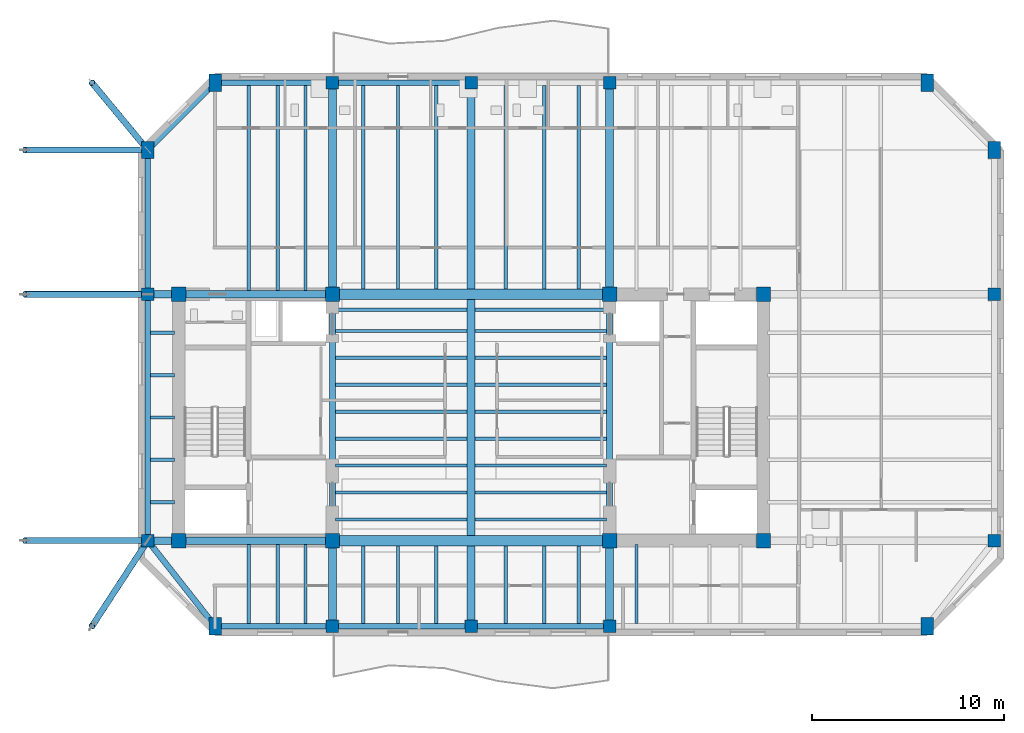
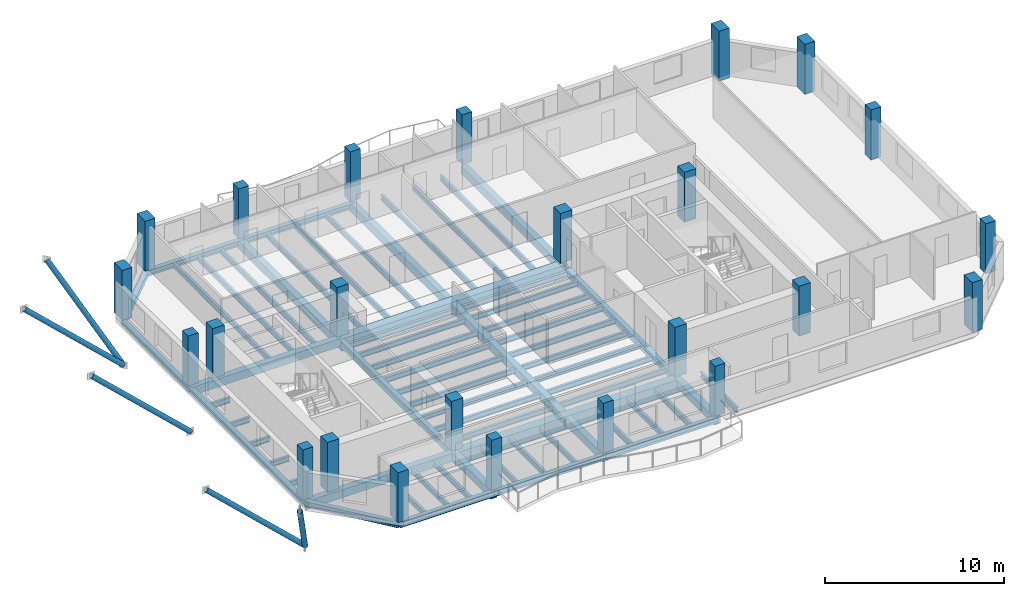
# One storey, part 1 of 10: 64 beams, 24 columns, 5 members.
"""IFC4 building model written with IfcOpenShell, lengths in metres."""

import ifcopenshell
import ifcopenshell.guid

model = None  # the IFC model being written
_history = None  # IfcOwnerHistory: only IFC2X3 demands one
_inside = {}  # id of a spatial element -> (the spatial element, [elements in it])
_under = {}  # id of a project, library or spatial element -> (it, [spatial elements below it])
_declared = {}  # id of a project -> (the project, [libraries it declares])
_typed = {}  # id of a type object -> (the type object, [elements of that type])
_made_of = {}  # id of a material, layer set ... -> (it, [elements and type objects made of it])


def new_model(schema):
    """Start an empty IFC model of exactly this schema.

    Asked for "IFC4X3", IfcOpenShell would pick the latest addendum, in which some entities
    have other attributes; the version numbers below select the first issue.
    IFC2X3 requires an IfcOwnerHistory on every rooted entity: one is made here for all.
    """
    global model, _history
    if schema == "IFC4X3":
        model = ifcopenshell.file(schema_version=(4, 3, 0, 0))
    else:
        model = ifcopenshell.file(schema=schema)
    _inside.clear()
    _under.clear()
    _declared.clear()
    _typed.clear()
    _made_of.clear()
    _history = None
    if model.schema == "IFC2X3":
        org = make("IfcOrganization", Name="unknown")
        user = make(
            "IfcPersonAndOrganization",
            ThePerson=make("IfcPerson", FamilyName="unknown"),
            TheOrganization=org,
        )
        app = make(
            "IfcApplication",
            ApplicationDeveloper=org,
            Version="unknown",
            ApplicationFullName="unknown",
            ApplicationIdentifier="unknown",
        )
        _history = make(
            "IfcOwnerHistory",
            OwningUser=user,
            OwningApplication=app,
            ChangeAction="ADDED",
            CreationDate=0,
        )
    return model


def make(cls, **values):
    """One entity of the class cls with the attributes given. An attribute that is None is left unset."""
    return model.create_entity(
        cls, **{name: value for name, value in values.items() if value is not None}
    )


def rooted(cls, **values):
    """An entity with a GlobalId (a new one), such as an element, a storey or a relation."""
    return make(cls, GlobalId=ifcopenshell.guid.new(), OwnerHistory=_history, **values)


def si_unit(unit_type, name, prefix=None):
    """IfcSIUnit, for example si_unit("LENGTHUNIT", "METRE", prefix="MILLI")."""
    return make("IfcSIUnit", UnitType=unit_type, Prefix=prefix, Name=name)


def assignment(units):
    """IfcUnitAssignment: the units of a project."""
    return None if units is None else make("IfcUnitAssignment", Units=units)


def point(xyz):
    """IfcCartesianPoint."""
    return None if xyz is None else make("IfcCartesianPoint", Coordinates=xyz)


def direction(xyz):
    """IfcDirection."""
    return None if xyz is None else make("IfcDirection", DirectionRatios=xyz)


def frame(location, z_axis=None, x_axis=None):
    """IfcAxis2Placement3D, a coordinate frame: its origin and axes. An axis left out is left unset."""
    return make(
        "IfcAxis2Placement3D",
        Location=point(location),
        Axis=direction(z_axis),
        RefDirection=direction(x_axis),
    )


def frame_2d(location, x_axis=None):
    """IfcAxis2Placement2D, a coordinate frame in the plane: its origin and x axis."""
    return make(
        "IfcAxis2Placement2D", Location=point(location), RefDirection=direction(x_axis)
    )


def origin():
    """The frame at (0, 0, 0) with its axes left unset."""
    return frame((0.0, 0.0, 0.0))


def origin_2d():
    """The frame at (0, 0) in the plane with its x axis left unset."""
    return frame_2d((0.0, 0.0))


def place(relative_to, where):
    """IfcLocalPlacement: puts the frame where relative to a parent placement (None: the world)."""
    return make(
        "IfcLocalPlacement", PlacementRelTo=relative_to, RelativePlacement=where
    )


def context(
    kind, dimensions, precision=None, world=None, true_north=None, identifier=None
):
    """IfcGeometricRepresentationContext, for example the 3D "Model" context."""
    return make(
        "IfcGeometricRepresentationContext",
        ContextIdentifier=identifier,
        ContextType=kind,
        CoordinateSpaceDimension=dimensions,
        Precision=precision,
        WorldCoordinateSystem=world,
        TrueNorth=true_north,
    )


def subcontext(parent, identifier, kind, view, scale=None):
    """IfcGeometricRepresentationSubContext, for example "Body" below "Model"."""
    return make(
        "IfcGeometricRepresentationSubContext",
        ContextIdentifier=identifier,
        ContextType=kind,
        ParentContext=parent,
        TargetScale=scale,
        TargetView=view,
    )


def project(units=None, contexts=None):
    """IfcProject with its units and contexts."""
    return rooted(
        "IfcProject",
        Name="project",
        RepresentationContexts=contexts,
        UnitsInContext=assignment(units),
    )


def spatial(cls, under=None, at=None, **own):
    """A site, building, storey or space (cls), placed at a placement, below another one or the project."""
    s = rooted(cls, ObjectPlacement=at, **own)
    if under is not None:
        _under.setdefault(under.id(), (under, []))[1].append(s)
    return s


def profile(cls, at=None, kind="AREA", **sizes):
    """A parametric profile (cls). Its sizes go by their IFC names, for example OverallWidth=200.0."""
    return make(cls, ProfileType=kind, Position=at, **sizes)


def rectangle(**sizes):
    """IfcRectangleProfileDef."""
    return profile("IfcRectangleProfileDef", **sizes)


def hollow_circle(**sizes):
    """IfcCircleHollowProfileDef."""
    return profile("IfcCircleHollowProfileDef", **sizes)


def i_section(**sizes):
    """IfcIShapeProfileDef."""
    return profile("IfcIShapeProfileDef", **sizes)


def extrude(swept, where, along, depth):
    """IfcExtrudedAreaSolid: the profile swept, set in the frame where, extruded along a direction by depth."""
    return make(
        "IfcExtrudedAreaSolid",
        SweptArea=swept,
        Position=where,
        ExtrudedDirection=direction(along),
        Depth=depth,
    )


def shape(context_of_items, identifier, shape_type, items):
    """IfcShapeRepresentation: the items that make up one representation, for example the "Body"."""
    return make(
        "IfcShapeRepresentation",
        ContextOfItems=context_of_items,
        RepresentationIdentifier=identifier,
        RepresentationType=shape_type,
        Items=items,
    )


def material(Name=None, Category=None):
    """IfcMaterial."""
    return make("IfcMaterial", Name=Name, Category=Category)


def material_profile(
    of_material, cross_section, Name=None, Category=None, Priority=None
):
    """IfcMaterialProfile: a cross section and its material."""
    return make(
        "IfcMaterialProfile",
        Name=Name,
        Material=of_material,
        Profile=cross_section,
        Priority=Priority,
        Category=Category,
    )


def profile_set(profiles, Name=None, composite=None):
    """IfcMaterialProfileSet."""
    return make(
        "IfcMaterialProfileSet",
        Name=Name,
        MaterialProfiles=profiles,
        CompositeProfile=composite,
    )


def made_of(thing, what):
    """Note that an element or type object is made of a material, layer set ...; save() writes the relation."""
    if what is not None:
        _made_of.setdefault(what.id(), (what, []))[1].append(thing)
    return thing


def type_object(cls, material=None, **own):
    """A type object (cls), such as IfcWallType, which elements share."""
    return made_of(rooted(cls, **own), material)


def element(
    cls,
    number,
    at=None,
    inside=None,
    cuts=None,
    type_object=None,
    material=None,
    context=None,
    identifier="Body",
    shape_type=None,
    held_by="IfcProductDefinitionShape",
    body=None,
    shapes=None,
    **own,
):
    """One element of the class cls, such as IfcWall. Its Tag is "e" and its number.

    at: its placement. inside: the storey or other place that contains it. cuts: it is an
    opening in that element (IfcRelVoidsElement). A single representation is given by context,
    identifier, shape_type and body (its items); several are given by shapes. held_by: the class
    of the entity that holds the representations. save() writes the other relations.
    """
    e = rooted(cls, Tag="e%d" % number, ObjectPlacement=at, **own)
    if body is not None:
        shapes = [shape(context, identifier, shape_type, body)]
    if shapes is not None:
        e.Representation = make(held_by, Representations=shapes)
    if inside is not None:
        _inside.setdefault(inside.id(), (inside, []))[1].append(e)
    if cuts is not None:
        rooted(
            "IfcRelVoidsElement", RelatingBuildingElement=cuts, RelatedOpeningElement=e
        )
    if type_object is not None:
        _typed.setdefault(type_object.id(), (type_object, []))[1].append(e)
    return made_of(e, material)


def aggregate(whole, parts):
    """IfcRelAggregates: a whole, such as a stair, and the parts it consists of."""
    return rooted("IfcRelAggregates", RelatingObject=whole, RelatedObjects=parts)


def save(model, path):
    """Write the relations noted so far, then the file.

    IfcRelAggregates (storeys below a building ...), IfcRelContainedInSpatialStructure (elements
    in a storey), IfcRelDefinesByType, IfcRelAssociatesMaterial and IfcRelDeclares: one each for
    every whole, place, type object, material and project.
    """
    for whole, parts in _under.values():
        aggregate(whole, parts)
    for where, things in _inside.values():
        rooted(
            "IfcRelContainedInSpatialStructure",
            RelatedElements=things,
            RelatingStructure=where,
        )
    for kind, things in _typed.values():
        rooted("IfcRelDefinesByType", RelatedObjects=things, RelatingType=kind)
    for what, things in _made_of.values():
        rooted("IfcRelAssociatesMaterial", RelatedObjects=things, RelatingMaterial=what)
    for by, libraries in _declared.values():
        rooted("IfcRelDeclares", RelatingContext=by, RelatedDefinitions=libraries)
    model.write(path)


model = new_model("IFC4")

# Units and contexts
model_context = context("Model", 3, precision=1e-05, world=origin(), true_north=direction((0.0, 1.0)))
body_context = subcontext(model_context, "Body", "Model", "MODEL_VIEW")
ifc_project = project(units=[si_unit("LENGTHUNIT", "METRE"), si_unit("AREAUNIT", "SQUARE_METRE"), si_unit("VOLUMEUNIT", "CUBIC_METRE"), si_unit("PLANEANGLEUNIT", "RADIAN"), si_unit("MASSUNIT", "GRAM", prefix="KILO")], contexts=[model_context])

# Site, building, storey
site_placement = place(None, origin())
site = spatial("IfcSite", under=ifc_project, at=site_placement, CompositionType="ELEMENT")
building_placement = place(site_placement, origin())
building = spatial("IfcBuilding", under=site, at=building_placement, Name="Kranthara Brick Stack", CompositionType="ELEMENT")
storey_placement = place(building_placement, frame((0.0, 0.0, 265.300048828125)))
storey = spatial("IfcBuildingStorey", under=building, at=storey_placement, Name="L70", CompositionType="ELEMENT", Elevation=265.300048828125)

# Columns
ifc_material_1 = material(Name="Concrete C50/60", Category="concrete")
ifc_material_profile_1 = material_profile(ifc_material_1, rectangle(XDim=0.64990234375, YDim=0.89990234375, at=origin_2d()), Name="RC 650x900")
ifc_profile_set_1 = profile_set([ifc_material_profile_1], Name="Concrete C50/60")
column_type_1 = type_object("IfcColumnType", Name="COL-CHAM-650x900", PredefinedType="COLUMN", material=ifc_profile_set_1)
for number, where, z_axis, x_axis, name in (
    (1, (14.699951171875, 16.35009765625, 0.0), (0.0, 0.0, 1.0), (1.0, 0.0, 0.0), "L70 Column 09"),
    (2, (14.699951171875, 44.60009765625, 0.0), (0.0, 0.0, 1.0), (1.0, 0.0, 0.0), "L70 Column 10"),
    (3, (51.699951171875, 16.35009765625, 0.0), (0.0, 0.0, 1.0), (1.0, 0.0, 0.0), "L70 Column 17"),
    (4, (51.699951171875, 44.60009765625, 0.0), (0.0, 0.0, 1.0), (1.0, 0.0, 0.0), "L70 Column 18"),
    (5, (11.199951171875, 41.10009765625, 0.0), (0.0, 0.0, 1.0), (1.0, 0.0, 0.0), "L70 Column 23"),
    (6, (55.199951171875, 41.10009765625, 0.0), (0.0, 0.0, 1.0), (1.0, 0.0, 0.0), "L70 Column 24"),
):
    element("IfcColumn", number, at=place(storey_placement, frame(where, z_axis=z_axis, x_axis=x_axis)), inside=storey, type_object=column_type_1, Name=name, PredefinedType="COLUMN", context=body_context, shape_type="SweptSolid", body=[
        extrude(rectangle(XDim=0.64990234375, YDim=0.89990234375, at=origin_2d()), origin(), (0.0, 0.0, 1.0), 3.39990234375),
    ])
ifc_material_2 = material(Name="Concrete C50/60", Category="concrete")
ifc_material_profile_2 = material_profile(ifc_material_2, rectangle(XDim=0.75, YDim=0.75, at=origin_2d()), Name="RC 750x750")
ifc_profile_set_2 = profile_set([ifc_material_profile_2], Name="Concrete C50/60")
column_type_2 = type_object("IfcColumnType", Name="COL-CORE-750", PredefinedType="COLUMN", material=ifc_profile_set_2)
for number, where, z_axis, x_axis, name in (
    (7, (12.800048828125, 20.800048828125, 0.0), (0.0, 0.0, 1.0), (1.0, 0.0, 0.0), "L70 Column 01"),
    (8, (20.800048828125, 20.800048828125, 0.0), (0.0, 0.0, 1.0), (1.0, 0.0, 0.0), "L70 Column 02"),
    (9, (12.800048828125, 33.60009765625, 0.0), (0.0, 0.0, 1.0), (1.0, 0.0, 0.0), "L70 Column 03"),
    (10, (20.800048828125, 33.60009765625, 0.0), (0.0, 0.0, 1.0), (1.0, 0.0, 0.0), "L70 Column 04"),
    (11, (35.199951171875, 20.800048828125, 0.0), (0.0, 0.0, 1.0), (1.0, 0.0, 0.0), "L70 Column 05"),
    (12, (43.199951171875, 20.800048828125, 0.0), (0.0, 0.0, 1.0), (1.0, 0.0, 0.0), "L70 Column 06"),
    (13, (35.199951171875, 33.60009765625, 0.0), (0.0, 0.0, 1.0), (1.0, 0.0, 0.0), "L70 Column 07"),
    (14, (43.199951171875, 33.60009765625, 0.0), (0.0, 0.0, 1.0), (1.0, 0.0, 0.0), "L70 Column 08"),
):
    element("IfcColumn", number, at=place(storey_placement, frame(where, z_axis=z_axis, x_axis=x_axis)), inside=storey, type_object=column_type_2, Name=name, PredefinedType="COLUMN", context=body_context, shape_type="SweptSolid", body=[
        extrude(rectangle(XDim=0.75, YDim=0.75, at=origin_2d()), origin(), (0.0, 0.0, 1.0), 3.39990234375),
    ])
ifc_material_3 = material(Name="Concrete C50/60", Category="concrete")
ifc_material_profile_3 = material_profile(ifc_material_3, rectangle(XDim=0.64990234375, YDim=0.64990234375, at=origin_2d()), Name="RC 650x650")
ifc_profile_set_3 = profile_set([ifc_material_profile_3], Name="Concrete C50/60")
column_type_3 = type_object("IfcColumnType", Name="COL-PER-650", PredefinedType="COLUMN", material=ifc_profile_set_3)
for number, where, z_axis, x_axis, name in (
    (15, (20.800048828125, 16.35009765625, 0.0), (0.0, 0.0, 1.0), (1.0, 0.0, 0.0), "L70 Column 11"),
    (16, (20.800048828125, 44.60009765625, 0.0), (0.0, 0.0, 1.0), (1.0, 0.0, 0.0), "L70 Column 12"),
    (17, (28.0, 16.35009765625, 0.0), (0.0, 0.0, 1.0), (1.0, 0.0, 0.0), "L70 Column 13"),
    (18, (28.0, 44.60009765625, 0.0), (0.0, 0.0, 1.0), (1.0, 0.0, 0.0), "L70 Column 14"),
    (19, (35.199951171875, 16.35009765625, 0.0), (0.0, 0.0, 1.0), (1.0, 0.0, 0.0), "L70 Column 15"),
    (20, (35.199951171875, 44.60009765625, 0.0), (0.0, 0.0, 1.0), (1.0, 0.0, 0.0), "L70 Column 16"),
    (21, (11.199951171875, 20.800048828125, 0.0), (0.0, 0.0, 1.0), (1.0, 0.0, 0.0), "L70 Column 19"),
    (22, (55.199951171875, 20.800048828125, 0.0), (0.0, 0.0, 1.0), (1.0, 0.0, 0.0), "L70 Column 20"),
    (23, (11.199951171875, 33.60009765625, 0.0), (0.0, 0.0, 1.0), (1.0, 0.0, 0.0), "L70 Column 21"),
    (24, (55.199951171875, 33.60009765625, 0.0), (0.0, 0.0, 1.0), (1.0, 0.0, 0.0), "L70 Column 22"),
):
    element("IfcColumn", number, at=place(storey_placement, frame(where, z_axis=z_axis, x_axis=x_axis)), inside=storey, type_object=column_type_3, Name=name, PredefinedType="COLUMN", context=body_context, shape_type="SweptSolid", body=[
        extrude(rectangle(XDim=0.64990234375, YDim=0.64990234375, at=origin_2d()), origin(), (0.0, 0.0, 1.0), 3.39990234375),
    ])

# Beams
ifc_material_4 = material(Name="Concrete C50/60", Category="concrete")
ifc_material_profile_4 = material_profile(ifc_material_4, rectangle(XDim=0.550048828125, YDim=0.85009765625, at=origin_2d()), Name="RC 550x850")
ifc_profile_set_4 = profile_set([ifc_material_profile_4], Name="Concrete C50/60")
beam_type_1 = type_object("IfcBeamType", Name="BM-CPL-RC850", PredefinedType="LINTEL", material=ifc_profile_set_4)
for number, where, z_axis, x_axis, name in (
    (25, (20.800048828125, 20.800048828125, -0.72509765625), (1.0, 0.0, 0.0), (0.0, 1.0, 0.0), "L70 Core Coupling Beam 001"),
    (26, (20.800048828125, 33.60009765625, -0.72509765625), (1.0, 0.0, 0.0), (0.0, 1.0, 0.0), "L70 Core Coupling Beam 002"),
):
    element("IfcBeam", number, at=place(storey_placement, frame(where, z_axis=z_axis, x_axis=x_axis)), inside=storey, type_object=beam_type_1, Name=name, PredefinedType="LINTEL", context=body_context, shape_type="SweptSolid", body=[
        extrude(rectangle(XDim=0.550048828125, YDim=0.85009765625, at=origin_2d()), origin(), (0.0, 0.0, 1.0), 14.39990234375),
    ])
ifc_material_5 = material(Name="Post-tensioned concrete C45/55", Category="concrete")
ifc_material_profile_5 = material_profile(ifc_material_5, rectangle(XDim=0.39990234375, YDim=0.550048828125, at=origin_2d()), Name="PT 400x550")
ifc_profile_set_5 = profile_set([ifc_material_profile_5], Name="Post-tensioned concrete C45/55")
beam_type_2 = type_object("IfcBeamType", Name="BM-FLR-PT550", PredefinedType="BEAM", material=ifc_profile_set_5)
beam_1_placement = place(storey_placement, frame((20.800048828125, 16.35009765625, -0.574951171875), z_axis=(0.0, 1.0, 0.0), x_axis=(-1.0, 0.0, 0.0)))
element("IfcBeam", 27, at=beam_1_placement, inside=storey, type_object=beam_type_2, Name="L70 Primary Grid Girder 021", PredefinedType="BEAM", context=body_context, shape_type="SweptSolid", body=[
    extrude(rectangle(XDim=0.39990234375, YDim=0.550048828125, at=origin_2d()), origin(), (0.0, 0.0, 1.0), 4.449951171875),
])
beam_2_placement = place(storey_placement, frame((20.800048828125, 33.60009765625, -0.574951171875), z_axis=(0.0, 1.0, 0.0), x_axis=(-1.0, 0.0, 0.0)))
element("IfcBeam", 28, at=beam_2_placement, inside=storey, type_object=beam_type_2, Name="L70 Primary Grid Girder 022", PredefinedType="BEAM", context=body_context, shape_type="SweptSolid", body=[
    extrude(rectangle(XDim=0.39990234375, YDim=0.550048828125, at=origin_2d()), origin(), (0.0, 0.0, 1.0), 11.0),
])
beam_3_placement = place(storey_placement, frame((28.0, 16.35009765625, -0.574951171875), z_axis=(0.0, 1.0, 0.0), x_axis=(-1.0, 0.0, 0.0)))
element("IfcBeam", 29, at=beam_3_placement, inside=storey, type_object=beam_type_2, Name="L70 Primary Grid Girder 023", PredefinedType="BEAM", context=body_context, shape_type="SweptSolid", body=[
    extrude(rectangle(XDim=0.39990234375, YDim=0.550048828125, at=origin_2d()), origin(), (0.0, 0.0, 1.0), 4.1748046875),
])
beam_4_placement = place(storey_placement, frame((28.0, 21.074951171875, -0.574951171875), z_axis=(0.0, 1.0, 0.0), x_axis=(-1.0, 0.0, 0.0)))
element("IfcBeam", 30, at=beam_4_placement, inside=storey, type_object=beam_type_2, Name="L70 Central Spine Girder 024", PredefinedType="BEAM", context=body_context, shape_type="SweptSolid", body=[
    extrude(rectangle(XDim=0.39990234375, YDim=0.550048828125, at=origin_2d()), origin(), (0.0, 0.0, 1.0), 12.25),
])
beam_5_placement = place(storey_placement, frame((28.0, 33.875, -0.574951171875), z_axis=(0.0, 1.0, 0.0), x_axis=(-1.0, 0.0, 0.0)))
element("IfcBeam", 31, at=beam_5_placement, inside=storey, type_object=beam_type_2, Name="L70 Primary Grid Girder 025", PredefinedType="BEAM", context=body_context, shape_type="SweptSolid", body=[
    extrude(rectangle(XDim=0.39990234375, YDim=0.550048828125, at=origin_2d()), origin(), (0.0, 0.0, 1.0), 10.72509765625),
])
beam_6_placement = place(storey_placement, frame((35.199951171875, 16.35009765625, -0.574951171875), z_axis=(0.0, 1.0, 0.0), x_axis=(-1.0, 0.0, 0.0)))
element("IfcBeam", 32, at=beam_6_placement, inside=storey, type_object=beam_type_2, Name="L70 Primary Grid Girder 026", PredefinedType="BEAM", context=body_context, shape_type="SweptSolid", body=[
    extrude(rectangle(XDim=0.39990234375, YDim=0.550048828125, at=origin_2d()), origin(), (0.0, 0.0, 1.0), 4.449951171875),
])
beam_7_placement = place(storey_placement, frame((35.199951171875, 33.60009765625, -0.574951171875), z_axis=(0.0, 1.0, 0.0), x_axis=(-1.0, 0.0, 0.0)))
element("IfcBeam", 33, at=beam_7_placement, inside=storey, type_object=beam_type_2, Name="L70 Primary Grid Girder 027", PredefinedType="BEAM", context=body_context, shape_type="SweptSolid", body=[
    extrude(rectangle(XDim=0.39990234375, YDim=0.550048828125, at=origin_2d()), origin(), (0.0, 0.0, 1.0), 11.0),
])
for number, where, z_axis, x_axis, name in (
    (34, (11.199951171875, 20.800048828125, -0.574951171875), (1.0, 0.0, 0.0), (0.0, 1.0, 0.0), "L70 Primary Grid Girder 028"),
    (35, (11.199951171875, 33.60009765625, -0.574951171875), (1.0, 0.0, 0.0), (0.0, 1.0, 0.0), "L70 Primary Grid Girder 030"),
):
    element("IfcBeam", number, at=place(storey_placement, frame(where, z_axis=z_axis, x_axis=x_axis)), inside=storey, type_object=beam_type_2, Name=name, PredefinedType="BEAM", context=body_context, shape_type="SweptSolid", body=[
        extrude(rectangle(XDim=0.39990234375, YDim=0.550048828125, at=origin_2d()), origin(), (0.0, 0.0, 1.0), 9.60009765625),
    ])
ifc_material_6 = material(Name="Steel S355", Category="steel")
ifc_material_profile_6 = material_profile(ifc_material_6, i_section(OverallWidth=0.169921875, OverallDepth=0.360107421875, WebThickness=0.008056640625, FlangeThickness=0.0126953125, at=origin_2d()), Name="IPE 360")
ifc_profile_set_6 = profile_set([ifc_material_profile_6], Name="Steel S355")
beam_type_3 = type_object("IfcBeamType", Name="BM-JST-IPE360", PredefinedType="JOIST", material=ifc_profile_set_6)
for number, where, z_axis, x_axis, name in (
    (36, (20.949951171875, 21.89990234375, -0.47998046875), (1.0, 0.0, 0.0), (0.0, 1.0, 0.0), "L70 Central Floor Joist 032"),
    (37, (28.199951171875, 21.89990234375, -0.47998046875), (1.0, 0.0, 0.0), (0.0, 1.0, 0.0), "L70 Central Floor Joist 033"),
    (38, (20.949951171875, 23.300048828125, -0.47998046875), (1.0, 0.0, 0.0), (0.0, 1.0, 0.0), "L70 Central Floor Joist 034"),
    (39, (28.199951171875, 23.300048828125, -0.47998046875), (1.0, 0.0, 0.0), (0.0, 1.0, 0.0), "L70 Central Floor Joist 035"),
    (40, (20.949951171875, 24.699951171875, -0.47998046875), (1.0, 0.0, 0.0), (0.0, 1.0, 0.0), "L70 Central Floor Joist 036"),
    (41, (28.199951171875, 24.699951171875, -0.47998046875), (1.0, 0.0, 0.0), (0.0, 1.0, 0.0), "L70 Central Floor Joist 037"),
    (42, (20.949951171875, 26.10009765625, -0.47998046875), (1.0, 0.0, 0.0), (0.0, 1.0, 0.0), "L70 Central Floor Joist 038"),
    (43, (28.199951171875, 26.10009765625, -0.47998046875), (1.0, 0.0, 0.0), (0.0, 1.0, 0.0), "L70 Central Floor Joist 039"),
    (44, (20.949951171875, 27.5, -0.47998046875), (1.0, 0.0, 0.0), (0.0, 1.0, 0.0), "L70 Central Floor Joist 040"),
    (45, (28.199951171875, 27.5, -0.47998046875), (1.0, 0.0, 0.0), (0.0, 1.0, 0.0), "L70 Central Floor Joist 041"),
    (46, (20.949951171875, 28.89990234375, -0.47998046875), (1.0, 0.0, 0.0), (0.0, 1.0, 0.0), "L70 Central Floor Joist 042"),
    (47, (28.199951171875, 28.89990234375, -0.47998046875), (1.0, 0.0, 0.0), (0.0, 1.0, 0.0), "L70 Central Floor Joist 043"),
    (48, (20.949951171875, 30.300048828125, -0.47998046875), (1.0, 0.0, 0.0), (0.0, 1.0, 0.0), "L70 Central Floor Joist 044"),
    (49, (28.199951171875, 30.300048828125, -0.47998046875), (1.0, 0.0, 0.0), (0.0, 1.0, 0.0), "L70 Central Floor Joist 045"),
    (50, (20.949951171875, 31.699951171875, -0.47998046875), (1.0, 0.0, 0.0), (0.0, 1.0, 0.0), "L70 Central Floor Joist 046"),
    (51, (28.199951171875, 31.699951171875, -0.47998046875), (1.0, 0.0, 0.0), (0.0, 1.0, 0.0), "L70 Central Floor Joist 047"),
    (52, (20.949951171875, 32.800048828125, -0.47998046875), (1.0, 0.0, 0.0), (0.0, 1.0, 0.0), "L70 Central Floor Joist 048"),
    (53, (28.199951171875, 32.800048828125, -0.47998046875), (1.0, 0.0, 0.0), (0.0, 1.0, 0.0), "L70 Central Floor Joist 049"),
):
    element("IfcBeam", number, at=place(storey_placement, frame(where, z_axis=z_axis, x_axis=x_axis)), inside=storey, type_object=beam_type_3, Name=name, PredefinedType="JOIST", context=body_context, shape_type="SweptSolid", body=[
        extrude(i_section(OverallWidth=0.169921875, OverallDepth=0.360107421875, WebThickness=0.008056640625, FlangeThickness=0.0126953125, at=origin_2d()), origin(), (0.0, 0.0, 1.0), 6.85009765625),
    ])
beam_8_placement = place(storey_placement, frame((16.449951171875, 16.5, -0.47998046875), z_axis=(0.0, 1.0, 0.0), x_axis=(-1.0, 0.0, 0.0)))
element("IfcBeam", 54, at=beam_8_placement, inside=storey, type_object=beam_type_3, Name="L70 South Wing Floor Joist 050", PredefinedType="JOIST", context=body_context, shape_type="SweptSolid", body=[
    extrude(i_section(OverallWidth=0.169921875, OverallDepth=0.360107421875, WebThickness=0.008056640625, FlangeThickness=0.0126953125, at=origin_2d()), origin(), (0.0, 0.0, 1.0), 4.10009765625),
])
beam_9_placement = place(storey_placement, frame((16.449951171875, 33.800048828125, -0.47998046875), z_axis=(0.0, 1.0, 0.0), x_axis=(-1.0, 0.0, 0.0)))
element("IfcBeam", 55, at=beam_9_placement, inside=storey, type_object=beam_type_3, Name="L70 North Wing Floor Joist 051", PredefinedType="JOIST", context=body_context, shape_type="SweptSolid", body=[
    extrude(i_section(OverallWidth=0.169921875, OverallDepth=0.360107421875, WebThickness=0.008056640625, FlangeThickness=0.0126953125, at=origin_2d()), origin(), (0.0, 0.0, 1.0), 10.64990234375),
])
beam_10_placement = place(storey_placement, frame((17.949951171875, 16.5, -0.47998046875), z_axis=(0.0, 1.0, 0.0), x_axis=(-1.0, 0.0, 0.0)))
element("IfcBeam", 56, at=beam_10_placement, inside=storey, type_object=beam_type_3, Name="L70 South Wing Floor Joist 052", PredefinedType="JOIST", context=body_context, shape_type="SweptSolid", body=[
    extrude(i_section(OverallWidth=0.169921875, OverallDepth=0.360107421875, WebThickness=0.008056640625, FlangeThickness=0.0126953125, at=origin_2d()), origin(), (0.0, 0.0, 1.0), 4.10009765625),
])
beam_11_placement = place(storey_placement, frame((17.949951171875, 33.800048828125, -0.47998046875), z_axis=(0.0, 1.0, 0.0), x_axis=(-1.0, 0.0, 0.0)))
element("IfcBeam", 57, at=beam_11_placement, inside=storey, type_object=beam_type_3, Name="L70 North Wing Floor Joist 053", PredefinedType="JOIST", context=body_context, shape_type="SweptSolid", body=[
    extrude(i_section(OverallWidth=0.169921875, OverallDepth=0.360107421875, WebThickness=0.008056640625, FlangeThickness=0.0126953125, at=origin_2d()), origin(), (0.0, 0.0, 1.0), 10.64990234375),
])
beam_12_placement = place(storey_placement, frame((19.39990234375, 16.5, -0.47998046875), z_axis=(0.0, 1.0, 0.0), x_axis=(-1.0, 0.0, 0.0)))
element("IfcBeam", 58, at=beam_12_placement, inside=storey, type_object=beam_type_3, Name="L70 South Wing Floor Joist 054", PredefinedType="JOIST", context=body_context, shape_type="SweptSolid", body=[
    extrude(i_section(OverallWidth=0.169921875, OverallDepth=0.360107421875, WebThickness=0.008056640625, FlangeThickness=0.0126953125, at=origin_2d()), origin(), (0.0, 0.0, 1.0), 4.10009765625),
])
beam_13_placement = place(storey_placement, frame((19.39990234375, 33.800048828125, -0.47998046875), z_axis=(0.0, 1.0, 0.0), x_axis=(-1.0, 0.0, 0.0)))
element("IfcBeam", 59, at=beam_13_placement, inside=storey, type_object=beam_type_3, Name="L70 North Wing Floor Joist 055", PredefinedType="JOIST", context=body_context, shape_type="SweptSolid", body=[
    extrude(i_section(OverallWidth=0.169921875, OverallDepth=0.360107421875, WebThickness=0.008056640625, FlangeThickness=0.0126953125, at=origin_2d()), origin(), (0.0, 0.0, 1.0), 10.64990234375),
])
beam_14_placement = place(storey_placement, frame((22.39990234375, 16.5, -0.47998046875), z_axis=(0.0, 1.0, 0.0), x_axis=(-1.0, 0.0, 0.0)))
element("IfcBeam", 60, at=beam_14_placement, inside=storey, type_object=beam_type_3, Name="L70 South Wing Floor Joist 056", PredefinedType="JOIST", context=body_context, shape_type="SweptSolid", body=[
    extrude(i_section(OverallWidth=0.169921875, OverallDepth=0.360107421875, WebThickness=0.008056640625, FlangeThickness=0.0126953125, at=origin_2d()), origin(), (0.0, 0.0, 1.0), 4.02490234375),
])
beam_15_placement = place(storey_placement, frame((22.39990234375, 33.875, -0.47998046875), z_axis=(0.0, 1.0, 0.0), x_axis=(-1.0, 0.0, 0.0)))
element("IfcBeam", 61, at=beam_15_placement, inside=storey, type_object=beam_type_3, Name="L70 North Wing Floor Joist 057", PredefinedType="JOIST", context=body_context, shape_type="SweptSolid", body=[
    extrude(i_section(OverallWidth=0.169921875, OverallDepth=0.360107421875, WebThickness=0.008056640625, FlangeThickness=0.0126953125, at=origin_2d()), origin(), (0.0, 0.0, 1.0), 10.574951171875),
])
beam_16_placement = place(storey_placement, frame((24.199951171875, 16.5, -0.47998046875), z_axis=(0.0, 1.0, 0.0), x_axis=(-1.0, 0.0, 0.0)))
element("IfcBeam", 62, at=beam_16_placement, inside=storey, type_object=beam_type_3, Name="L70 South Wing Floor Joist 058", PredefinedType="JOIST", context=body_context, shape_type="SweptSolid", body=[
    extrude(i_section(OverallWidth=0.169921875, OverallDepth=0.360107421875, WebThickness=0.008056640625, FlangeThickness=0.0126953125, at=origin_2d()), origin(), (0.0, 0.0, 1.0), 4.02490234375),
])
beam_17_placement = place(storey_placement, frame((24.199951171875, 33.875, -0.47998046875), z_axis=(0.0, 1.0, 0.0), x_axis=(-1.0, 0.0, 0.0)))
element("IfcBeam", 63, at=beam_17_placement, inside=storey, type_object=beam_type_3, Name="L70 North Wing Floor Joist 059", PredefinedType="JOIST", context=body_context, shape_type="SweptSolid", body=[
    extrude(i_section(OverallWidth=0.169921875, OverallDepth=0.360107421875, WebThickness=0.008056640625, FlangeThickness=0.0126953125, at=origin_2d()), origin(), (0.0, 0.0, 1.0), 10.574951171875),
])
beam_18_placement = place(storey_placement, frame((26.199951171875, 16.5, -0.47998046875), z_axis=(0.0, 1.0, 0.0), x_axis=(-1.0, 0.0, 0.0)))
element("IfcBeam", 64, at=beam_18_placement, inside=storey, type_object=beam_type_3, Name="L70 South Wing Floor Joist 060", PredefinedType="JOIST", context=body_context, shape_type="SweptSolid", body=[
    extrude(i_section(OverallWidth=0.169921875, OverallDepth=0.360107421875, WebThickness=0.008056640625, FlangeThickness=0.0126953125, at=origin_2d()), origin(), (0.0, 0.0, 1.0), 4.02490234375),
])
beam_19_placement = place(storey_placement, frame((26.199951171875, 33.875, -0.47998046875), z_axis=(0.0, 1.0, 0.0), x_axis=(-1.0, 0.0, 0.0)))
element("IfcBeam", 65, at=beam_19_placement, inside=storey, type_object=beam_type_3, Name="L70 North Wing Floor Joist 061", PredefinedType="JOIST", context=body_context, shape_type="SweptSolid", body=[
    extrude(i_section(OverallWidth=0.169921875, OverallDepth=0.360107421875, WebThickness=0.008056640625, FlangeThickness=0.0126953125, at=origin_2d()), origin(), (0.0, 0.0, 1.0), 10.574951171875),
])
beam_20_placement = place(storey_placement, frame((29.800048828125, 16.5, -0.47998046875), z_axis=(0.0, 1.0, 0.0), x_axis=(-1.0, 0.0, 0.0)))
element("IfcBeam", 66, at=beam_20_placement, inside=storey, type_object=beam_type_3, Name="L70 South Wing Floor Joist 062", PredefinedType="JOIST", context=body_context, shape_type="SweptSolid", body=[
    extrude(i_section(OverallWidth=0.169921875, OverallDepth=0.360107421875, WebThickness=0.008056640625, FlangeThickness=0.0126953125, at=origin_2d()), origin(), (0.0, 0.0, 1.0), 4.02490234375),
])
beam_21_placement = place(storey_placement, frame((29.800048828125, 33.875, -0.47998046875), z_axis=(0.0, 1.0, 0.0), x_axis=(-1.0, 0.0, 0.0)))
element("IfcBeam", 67, at=beam_21_placement, inside=storey, type_object=beam_type_3, Name="L70 North Wing Floor Joist 063", PredefinedType="JOIST", context=body_context, shape_type="SweptSolid", body=[
    extrude(i_section(OverallWidth=0.169921875, OverallDepth=0.360107421875, WebThickness=0.008056640625, FlangeThickness=0.0126953125, at=origin_2d()), origin(), (0.0, 0.0, 1.0), 10.574951171875),
])
beam_22_placement = place(storey_placement, frame((31.800048828125, 16.5, -0.47998046875), z_axis=(0.0, 1.0, 0.0), x_axis=(-1.0, 0.0, 0.0)))
element("IfcBeam", 68, at=beam_22_placement, inside=storey, type_object=beam_type_3, Name="L70 South Wing Floor Joist 064", PredefinedType="JOIST", context=body_context, shape_type="SweptSolid", body=[
    extrude(i_section(OverallWidth=0.169921875, OverallDepth=0.360107421875, WebThickness=0.008056640625, FlangeThickness=0.0126953125, at=origin_2d()), origin(), (0.0, 0.0, 1.0), 4.02490234375),
])
beam_23_placement = place(storey_placement, frame((31.800048828125, 33.875, -0.47998046875), z_axis=(0.0, 1.0, 0.0), x_axis=(-1.0, 0.0, 0.0)))
element("IfcBeam", 69, at=beam_23_placement, inside=storey, type_object=beam_type_3, Name="L70 North Wing Floor Joist 065", PredefinedType="JOIST", context=body_context, shape_type="SweptSolid", body=[
    extrude(i_section(OverallWidth=0.169921875, OverallDepth=0.360107421875, WebThickness=0.008056640625, FlangeThickness=0.0126953125, at=origin_2d()), origin(), (0.0, 0.0, 1.0), 10.574951171875),
])
beam_24_placement = place(storey_placement, frame((33.60009765625, 16.5, -0.47998046875), z_axis=(0.0, 1.0, 0.0), x_axis=(-1.0, 0.0, 0.0)))
element("IfcBeam", 70, at=beam_24_placement, inside=storey, type_object=beam_type_3, Name="L70 South Wing Floor Joist 066", PredefinedType="JOIST", context=body_context, shape_type="SweptSolid", body=[
    extrude(i_section(OverallWidth=0.169921875, OverallDepth=0.360107421875, WebThickness=0.008056640625, FlangeThickness=0.0126953125, at=origin_2d()), origin(), (0.0, 0.0, 1.0), 4.02490234375),
])
beam_25_placement = place(storey_placement, frame((33.60009765625, 33.875, -0.47998046875), z_axis=(0.0, 1.0, 0.0), x_axis=(-1.0, 0.0, 0.0)))
element("IfcBeam", 71, at=beam_25_placement, inside=storey, type_object=beam_type_3, Name="L70 North Wing Floor Joist 067", PredefinedType="JOIST", context=body_context, shape_type="SweptSolid", body=[
    extrude(i_section(OverallWidth=0.169921875, OverallDepth=0.360107421875, WebThickness=0.008056640625, FlangeThickness=0.0126953125, at=origin_2d()), origin(), (0.0, 0.0, 1.0), 10.574951171875),
])
beam_26_placement = place(storey_placement, frame((36.60009765625, 16.5, -0.47998046875), z_axis=(0.0, 1.0, 0.0), x_axis=(-1.0, 0.0, 0.0)))
element("IfcBeam", 72, at=beam_26_placement, inside=storey, type_object=beam_type_3, Name="L70 South Wing Floor Joist 068", PredefinedType="JOIST", context=body_context, shape_type="SweptSolid", body=[
    extrude(i_section(OverallWidth=0.169921875, OverallDepth=0.360107421875, WebThickness=0.008056640625, FlangeThickness=0.0126953125, at=origin_2d()), origin(), (0.0, 0.0, 1.0), 4.10009765625),
])
for number, where, z_axis, x_axis, name in (
    (73, (11.35009765625, 22.800048828125, -0.47998046875), (1.0, 0.0, 0.0), (0.0, 1.0, 0.0), "L70 West Wing Floor Joist 082"),
    (74, (11.35009765625, 25.0, -0.47998046875), (1.0, 0.0, 0.0), (0.0, 1.0, 0.0), "L70 West Wing Floor Joist 084"),
    (75, (11.35009765625, 27.199951171875, -0.47998046875), (1.0, 0.0, 0.0), (0.0, 1.0, 0.0), "L70 West Wing Floor Joist 086"),
    (76, (11.35009765625, 29.39990234375, -0.47998046875), (1.0, 0.0, 0.0), (0.0, 1.0, 0.0), "L70 West Wing Floor Joist 088"),
    (77, (11.35009765625, 31.60009765625, -0.47998046875), (1.0, 0.0, 0.0), (0.0, 1.0, 0.0), "L70 West Wing Floor Joist 090"),
):
    element("IfcBeam", number, at=place(storey_placement, frame(where, z_axis=z_axis, x_axis=x_axis)), inside=storey, type_object=beam_type_3, Name=name, PredefinedType="JOIST", context=body_context, shape_type="SweptSolid", body=[
        extrude(i_section(OverallWidth=0.169921875, OverallDepth=0.360107421875, WebThickness=0.008056640625, FlangeThickness=0.0126953125, at=origin_2d()), origin(), (0.0, 0.0, 1.0), 1.25),
    ])
ifc_material_7 = material(Name="Steel S355", Category="steel")
ifc_material_profile_7 = material_profile(ifc_material_7, i_section(OverallWidth=0.300048828125, OverallDepth=0.360107421875, WebThickness=0.012451171875, FlangeThickness=0.0224609375, at=origin_2d()), Name="HEB 360")
ifc_profile_set_7 = profile_set([ifc_material_profile_7], Name="Steel S355")
beam_type_4 = type_object("IfcBeamType", Name="BM-STL-HEB360", PredefinedType="SPANDREL", material=ifc_profile_set_7)
beam_27_placement = place(storey_placement, frame((14.699951171875, 16.35009765625, -0.47998046875), z_axis=(1.0, 0.0, 0.0), x_axis=(0.0, 1.0, 0.0)))
element("IfcBeam", 78, at=beam_27_placement, inside=storey, type_object=beam_type_4, Name="L70 Perimeter Spandrel Beam 005", PredefinedType="SPANDREL", context=body_context, shape_type="SweptSolid", body=[
    extrude(i_section(OverallWidth=0.300048828125, OverallDepth=0.360107421875, WebThickness=0.012451171875, FlangeThickness=0.0224609375, at=origin_2d()), origin(), (0.0, 0.0, 1.0), 6.10009765625),
])
for number, where, z_axis, x_axis, name in (
    (79, (20.800048828125, 16.35009765625, -0.47998046875), (1.0, 0.0, 0.0), (0.0, 1.0, 0.0), "L70 Perimeter Spandrel Beam 006"),
    (80, (28.0, 16.35009765625, -0.47998046875), (1.0, 0.0, 0.0), (0.0, 1.0, 0.0), "L70 Perimeter Spandrel Beam 007"),
):
    element("IfcBeam", number, at=place(storey_placement, frame(where, z_axis=z_axis, x_axis=x_axis)), inside=storey, type_object=beam_type_4, Name=name, PredefinedType="SPANDREL", context=body_context, shape_type="SweptSolid", body=[
        extrude(i_section(OverallWidth=0.300048828125, OverallDepth=0.360107421875, WebThickness=0.012451171875, FlangeThickness=0.0224609375, at=origin_2d()), origin(), (0.0, 0.0, 1.0), 7.199951171875),
    ])
beam_28_placement = place(storey_placement, frame((14.699951171875, 44.60009765625, -0.47998046875), z_axis=(1.0, 0.0, 0.0), x_axis=(0.0, 1.0, 0.0)))
element("IfcBeam", 81, at=beam_28_placement, inside=storey, type_object=beam_type_4, Name="L70 Perimeter Spandrel Beam 009", PredefinedType="SPANDREL", context=body_context, shape_type="SweptSolid", body=[
    extrude(i_section(OverallWidth=0.300048828125, OverallDepth=0.360107421875, WebThickness=0.012451171875, FlangeThickness=0.0224609375, at=origin_2d()), origin(), (0.0, 0.0, 1.0), 6.10009765625),
])
beam_29_placement = place(storey_placement, frame((20.800048828125, 44.60009765625, -0.47998046875), z_axis=(1.0, 0.0, 0.0), x_axis=(0.0, 1.0, 0.0)))
element("IfcBeam", 82, at=beam_29_placement, inside=storey, type_object=beam_type_4, Name="L70 Perimeter Spandrel Beam 010", PredefinedType="SPANDREL", context=body_context, shape_type="SweptSolid", body=[
    extrude(i_section(OverallWidth=0.300048828125, OverallDepth=0.360107421875, WebThickness=0.012451171875, FlangeThickness=0.0224609375, at=origin_2d()), origin(), (0.0, 0.0, 1.0), 7.199951171875),
])
beam_30_placement = place(storey_placement, frame((11.199951171875, 20.800048828125, -0.47998046875), z_axis=(0.0, 1.0, 0.0), x_axis=(-1.0, 0.0, 0.0)))
element("IfcBeam", 83, at=beam_30_placement, inside=storey, type_object=beam_type_4, Name="L70 Perimeter Spandrel Beam 013", PredefinedType="SPANDREL", context=body_context, shape_type="SweptSolid", body=[
    extrude(i_section(OverallWidth=0.300048828125, OverallDepth=0.360107421875, WebThickness=0.012451171875, FlangeThickness=0.0224609375, at=origin_2d()), origin(), (0.0, 0.0, 1.0), 12.800048828125),
])
beam_31_placement = place(storey_placement, frame((11.199951171875, 33.60009765625, -0.47998046875), z_axis=(0.0, 1.0, 0.0), x_axis=(-1.0, 0.0, 0.0)))
element("IfcBeam", 84, at=beam_31_placement, inside=storey, type_object=beam_type_4, Name="L70 Perimeter Spandrel Beam 014", PredefinedType="SPANDREL", context=body_context, shape_type="SweptSolid", body=[
    extrude(i_section(OverallWidth=0.300048828125, OverallDepth=0.360107421875, WebThickness=0.012451171875, FlangeThickness=0.0224609375, at=origin_2d()), origin(), (0.0, 0.0, 1.0), 7.5),
])
beam_32_placement = place(storey_placement, frame((14.699951171875, 16.35009765625, -0.47998046875), z_axis=(-0.618215705636, 0.78600848679, 0.0), x_axis=(-0.78600848679, -0.618215705636, 0.0)))
element("IfcBeam", 85, at=beam_32_placement, inside=storey, type_object=beam_type_4, Name="L70 Chamfer Corner Spandrel 017", PredefinedType="SPANDREL", context=body_context, shape_type="SweptSolid", body=[
    extrude(i_section(OverallWidth=0.300048828125, OverallDepth=0.360107421875, WebThickness=0.012451171875, FlangeThickness=0.0224609375, at=origin_2d()), origin(), (0.0, 0.0, 1.0), 5.661376953125),
])
beam_33_placement = place(storey_placement, frame((14.699951171875, 44.60009765625, -0.47998046875), z_axis=(-0.707106781187, -0.707106781187, 0.0), x_axis=(0.707106781187, -0.707106781187, 0.0)))
element("IfcBeam", 86, at=beam_33_placement, inside=storey, type_object=beam_type_4, Name="L70 Chamfer Corner Spandrel 019", PredefinedType="SPANDREL", context=body_context, shape_type="SweptSolid", body=[
    extrude(i_section(OverallWidth=0.300048828125, OverallDepth=0.360107421875, WebThickness=0.012451171875, FlangeThickness=0.0224609375, at=origin_2d()), origin(), (0.0, 0.0, 1.0), 4.94970703125),
])
ifc_material_8 = material(Name="Steel S355", Category="steel")
ifc_material_profile_8 = material_profile(ifc_material_8, i_section(OverallWidth=0.300048828125, OverallDepth=0.449951171875, WebThickness=0.013916015625, FlangeThickness=0.02587890625, at=origin_2d()), Name="HEB 450")
ifc_profile_set_8 = profile_set([ifc_material_profile_8], Name="Steel S355")
beam_type_5 = type_object("IfcBeamType", Name="BM-STL-HEB450", PredefinedType="SPANDREL", material=ifc_profile_set_8)
for number, where, z_axis, x_axis, name in (
    (87, (20.800048828125, 20.800048828125, -0.525146484375), (0.0, 1.0, 0.0), (-1.0, 0.0, 0.0), "L70 Core Edge Tie Beam 003"),
    (88, (35.199951171875, 20.800048828125, -0.525146484375), (0.0, 1.0, 0.0), (-1.0, 0.0, 0.0), "L70 Core Edge Tie Beam 004"),
):
    element("IfcBeam", number, at=place(storey_placement, frame(where, z_axis=z_axis, x_axis=x_axis)), inside=storey, type_object=beam_type_5, Name=name, PredefinedType="SPANDREL", context=body_context, shape_type="SweptSolid", body=[
        extrude(i_section(OverallWidth=0.300048828125, OverallDepth=0.449951171875, WebThickness=0.013916015625, FlangeThickness=0.02587890625, at=origin_2d()), origin(), (0.0, 0.0, 1.0), 12.800048828125),
    ])

# Members
ifc_material_9 = material(Name="Steel S355", Category="steel")
ifc_material_profile_9 = material_profile(ifc_material_9, hollow_circle(Radius=0.161865234375, WallThickness=0.01611328125, at=origin_2d()), Name="CHS 323.9x16")
ifc_profile_set_9 = profile_set([ifc_material_profile_9], Name="Steel S355")
member_type = type_object("IfcMemberType", Name="MB-STR-CHS324", PredefinedType="STRUT", material=ifc_profile_set_9)
member_1_placement = place(storey_placement, frame((11.199951171875, 20.800048828125, -3.400146484375), z_axis=(-0.360202717007, -0.552737407215, 0.751488763273), x_axis=(0.83780348773, -0.545971900327, 0.0)))
element("IfcMember", 89, at=member_1_placement, inside=storey, type_object=member_type, Name="L71 Jenga Raked Transfer Strut 66", PredefinedType="STRUT", context=body_context, shape_type="SweptSolid", body=[
    extrude(hollow_circle(Radius=0.161865234375, WallThickness=0.01611328125, at=origin_2d()), origin(), (0.0, 0.0, 1.0), 8.05078125),
])
member_2_placement = place(storey_placement, frame((11.199951171875, 41.10009765625, -3.400146484375), z_axis=(-0.383219965951, 0.462522430701, 0.799509511385), x_axis=(-0.770032116246, -0.638005125332, 0.0)))
element("IfcMember", 90, at=member_2_placement, inside=storey, type_object=member_type, Name="L71 Jenga Raked Transfer Strut 67", PredefinedType="STRUT", context=body_context, shape_type="SweptSolid", body=[
    extrude(hollow_circle(Radius=0.161865234375, WallThickness=0.01611328125, at=origin_2d()), origin(), (0.0, 0.0, 1.0), 7.567138671875),
])
for number, where, z_axis, x_axis, name in (
    (91, (11.199951171875, 20.800048828125, -3.400146484375), (-0.726690182803, 0.0, 0.686965339896), (0.0, -1.0, 0.0), "L71 Jenga Raked Transfer Strut 68"),
    (92, (11.199951171875, 33.60009765625, -3.400146484375), (-0.726690182803, 0.0, 0.686965339896), (0.0, -1.0, 0.0), "L71 Jenga Raked Transfer Strut 69"),
    (93, (11.199951171875, 41.10009765625, -3.400146484375), (-0.726690182803, 0.0, 0.686965339896), (0.0, -1.0, 0.0), "L71 Jenga Raked Transfer Strut 70"),
):
    element("IfcMember", number, at=place(storey_placement, frame(where, z_axis=z_axis, x_axis=x_axis)), inside=storey, type_object=member_type, Name=name, PredefinedType="STRUT", context=body_context, shape_type="SweptSolid", body=[
        extrude(hollow_circle(Radius=0.161865234375, WallThickness=0.01611328125, at=origin_2d()), origin(), (0.0, 0.0, 1.0), 8.806884765625),
    ])

save(model, "model.ifc")
